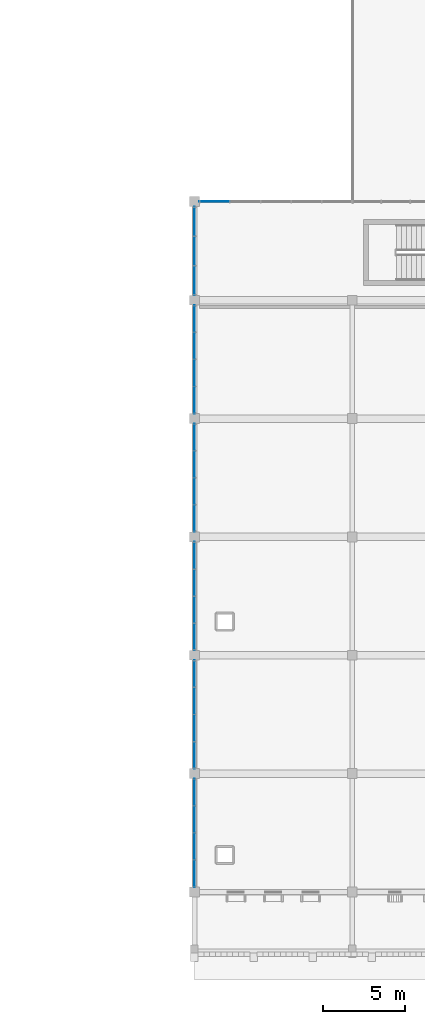
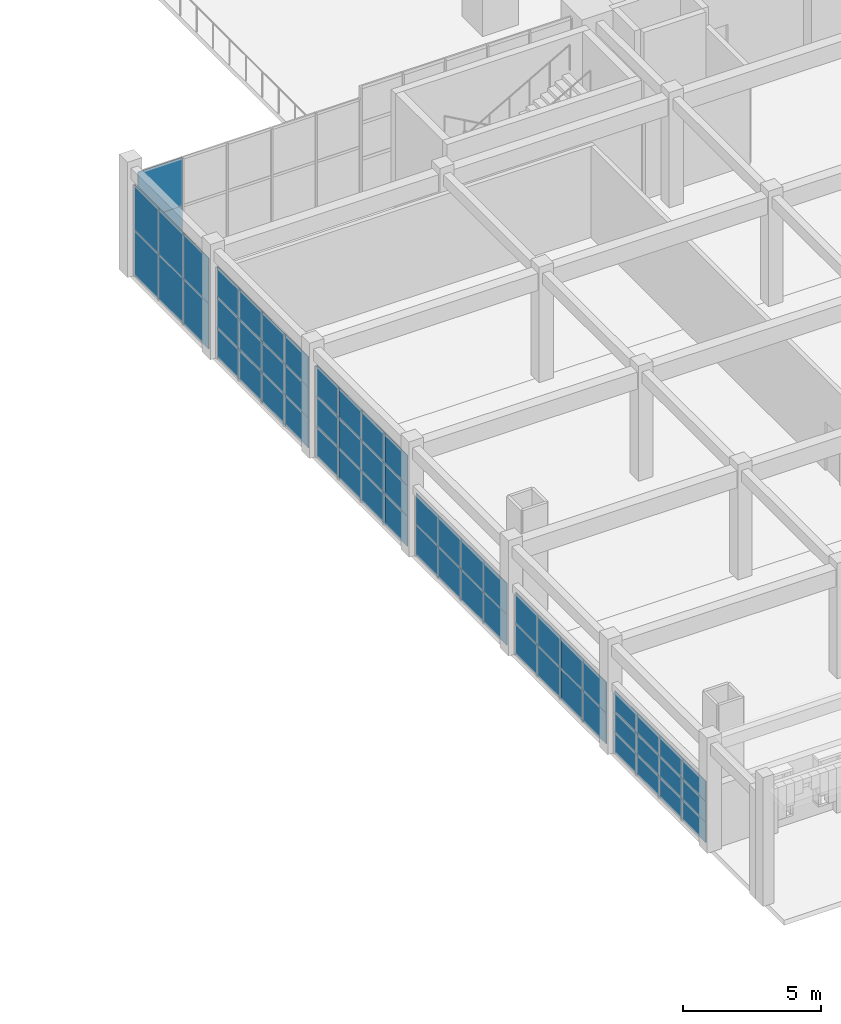
# One storey, part 28 of 72: 60 plates, 7 elements without a shape of their own.
"""IFC4 building model written with IfcOpenShell, lengths in metres."""

from ifc_helpers import new_model, si_unit, direction, frame, origin, origin_2d, place, context, subcontext, project, spatial, rectangle, extrude, material, layer, layer_set, type_object, element, aggregate, save


model = new_model("IFC4")

# Units and contexts
model_context = context("Model", 3, precision=1e-05, world=origin(), true_north=direction((0.0, 1.0)))
body_context = subcontext(model_context, "Body", "Model", "MODEL_VIEW")
ifc_project = project(units=[si_unit("LENGTHUNIT", "METRE"), si_unit("AREAUNIT", "SQUARE_METRE"), si_unit("VOLUMEUNIT", "CUBIC_METRE"), si_unit("PLANEANGLEUNIT", "RADIAN"), si_unit("MASSUNIT", "GRAM", prefix="KILO")], contexts=[model_context])

# Site, building, storey
site_placement = place(None, origin())
site = spatial("IfcSite", under=ifc_project, at=site_placement, CompositionType="ELEMENT")
building_placement = place(site_placement, origin())
building = spatial("IfcBuilding", under=site, at=building_placement, Name="Nzembalo Square Collegiate School", CompositionType="ELEMENT")
storey_placement = place(building_placement, origin())
storey = spatial("IfcBuildingStorey", under=building, at=storey_placement, Name="L00", CompositionType="ELEMENT", Elevation=0.0)

# Curtain wall, plates
ifc_material_1 = material(Name="Aluminium 6060-T66", Category="aluminium")
curtain_wall_type_1 = type_object("IfcCurtainWallType", Name="CW-02", PredefinedType="USERDEFINED", material=ifc_material_1)
curtain_wall_1_placement = place(storey_placement, origin())
curtain_wall_1 = element("IfcCurtainWall", 1, at=curtain_wall_1_placement, inside=storey, type_object=curtain_wall_type_1, Name="Curtain wall CW-02 cw:L00:009", ObjectType="UNITISED", PredefinedType="USERDEFINED")
ifc_material_2 = material(Name="Laminated solar-control double glazing", Category="glass")
ifc_layer_1 = layer(ifc_material_2, 0.028076171875, Name="Laminated solar-control double glazing")
ifc_layer_set_1 = layer_set([ifc_layer_1], Name="Laminated solar-control double glazing")
plate_type_1 = type_object("IfcPlateType", Name="PN01", PredefinedType="CURTAIN_PANEL", material=ifc_layer_set_1)
plate_1_placement = place(storey_placement, frame((130.800048828125, 9.526611328125, 0.00390625), z_axis=(0.0, 0.0, 1.0), x_axis=(0.0, 1.0, 0.0)))
plate_1 = element("IfcPlate", 2, at=plate_1_placement, type_object=plate_type_1, Name="PN01 glazed panel 1-1", PredefinedType="CURTAIN_PANEL", context=body_context, shape_type="SweptSolid", body=[
    extrude(rectangle(XDim=1.64111328125, YDim=0.028076171875, at=origin_2d()), origin(), (0.0, 0.0, 1.0), 0.90673828125),
])
plate_2_placement = place(storey_placement, frame((130.800048828125, 11.175537109375, 0.00390625), z_axis=(0.0, 0.0, 1.0), x_axis=(0.0, 1.0, 0.0)))
plate_2 = element("IfcPlate", 3, at=plate_2_placement, type_object=plate_type_1, Name="PN01 glazed panel 1-2", PredefinedType="CURTAIN_PANEL", context=body_context, shape_type="SweptSolid", body=[
    extrude(rectangle(XDim=1.64111328125, YDim=0.028076171875, at=origin_2d()), origin(), (0.0, 0.0, 1.0), 0.90673828125),
])
plate_3_placement = place(storey_placement, frame((130.800048828125, 12.824462890625, 0.00390625), z_axis=(0.0, 0.0, 1.0), x_axis=(0.0, 1.0, 0.0)))
plate_3 = element("IfcPlate", 4, at=plate_3_placement, type_object=plate_type_1, Name="PN01 glazed panel 1-3", PredefinedType="CURTAIN_PANEL", context=body_context, shape_type="SweptSolid", body=[
    extrude(rectangle(XDim=1.64111328125, YDim=0.028076171875, at=origin_2d()), origin(), (0.0, 0.0, 1.0), 0.90673828125),
])
plate_4_placement = place(storey_placement, frame((130.800048828125, 14.473388671875, 0.00390625), z_axis=(0.0, 0.0, 1.0), x_axis=(0.0, 1.0, 0.0)))
plate_4 = element("IfcPlate", 5, at=plate_4_placement, type_object=plate_type_1, Name="PN01 glazed panel 1-4", PredefinedType="CURTAIN_PANEL", context=body_context, shape_type="SweptSolid", body=[
    extrude(rectangle(XDim=1.64111328125, YDim=0.028076171875, at=origin_2d()), origin(), (0.0, 0.0, 1.0), 0.90673828125),
])
plate_5_placement = place(storey_placement, frame((130.800048828125, 9.526611328125, 0.918701171875), z_axis=(0.0, 0.0, 1.0), x_axis=(0.0, 1.0, 0.0)))
plate_5 = element("IfcPlate", 6, at=plate_5_placement, type_object=plate_type_1, Name="PN01 glazed panel 2-1", PredefinedType="CURTAIN_PANEL", context=body_context, shape_type="SweptSolid", body=[
    extrude(rectangle(XDim=1.64111328125, YDim=0.028076171875, at=origin_2d()), origin(), (0.0, 0.0, 1.0), 0.90673828125),
])
plate_6_placement = place(storey_placement, frame((130.800048828125, 11.175537109375, 0.918701171875), z_axis=(0.0, 0.0, 1.0), x_axis=(0.0, 1.0, 0.0)))
plate_6 = element("IfcPlate", 7, at=plate_6_placement, type_object=plate_type_1, Name="PN01 glazed panel 2-2", PredefinedType="CURTAIN_PANEL", context=body_context, shape_type="SweptSolid", body=[
    extrude(rectangle(XDim=1.64111328125, YDim=0.028076171875, at=origin_2d()), origin(), (0.0, 0.0, 1.0), 0.90673828125),
])
plate_7_placement = place(storey_placement, frame((130.800048828125, 12.824462890625, 0.918701171875), z_axis=(0.0, 0.0, 1.0), x_axis=(0.0, 1.0, 0.0)))
plate_7 = element("IfcPlate", 8, at=plate_7_placement, type_object=plate_type_1, Name="PN01 glazed panel 2-3", PredefinedType="CURTAIN_PANEL", context=body_context, shape_type="SweptSolid", body=[
    extrude(rectangle(XDim=1.64111328125, YDim=0.028076171875, at=origin_2d()), origin(), (0.0, 0.0, 1.0), 0.90673828125),
])
plate_8_placement = place(storey_placement, frame((130.800048828125, 14.473388671875, 0.918701171875), z_axis=(0.0, 0.0, 1.0), x_axis=(0.0, 1.0, 0.0)))
plate_8 = element("IfcPlate", 9, at=plate_8_placement, type_object=plate_type_1, Name="PN01 glazed panel 2-4", PredefinedType="CURTAIN_PANEL", context=body_context, shape_type="SweptSolid", body=[
    extrude(rectangle(XDim=1.64111328125, YDim=0.028076171875, at=origin_2d()), origin(), (0.0, 0.0, 1.0), 0.90673828125),
])
plate_9_placement = place(storey_placement, frame((130.800048828125, 9.526611328125, 1.833251953125), z_axis=(0.0, 0.0, 1.0), x_axis=(0.0, 1.0, 0.0)))
plate_9 = element("IfcPlate", 10, at=plate_9_placement, type_object=plate_type_1, Name="PN01 glazed panel 3-1", PredefinedType="CURTAIN_PANEL", context=body_context, shape_type="SweptSolid", body=[
    extrude(rectangle(XDim=1.64111328125, YDim=0.028076171875, at=origin_2d()), origin(), (0.0, 0.0, 1.0), 0.90673828125),
])
plate_10_placement = place(storey_placement, frame((130.800048828125, 11.175537109375, 1.833251953125), z_axis=(0.0, 0.0, 1.0), x_axis=(0.0, 1.0, 0.0)))
plate_10 = element("IfcPlate", 11, at=plate_10_placement, type_object=plate_type_1, Name="PN01 glazed panel 3-2", PredefinedType="CURTAIN_PANEL", context=body_context, shape_type="SweptSolid", body=[
    extrude(rectangle(XDim=1.64111328125, YDim=0.028076171875, at=origin_2d()), origin(), (0.0, 0.0, 1.0), 0.90673828125),
])
plate_11_placement = place(storey_placement, frame((130.800048828125, 12.824462890625, 1.833251953125), z_axis=(0.0, 0.0, 1.0), x_axis=(0.0, 1.0, 0.0)))
plate_11 = element("IfcPlate", 12, at=plate_11_placement, type_object=plate_type_1, Name="PN01 glazed panel 3-3", PredefinedType="CURTAIN_PANEL", context=body_context, shape_type="SweptSolid", body=[
    extrude(rectangle(XDim=1.64111328125, YDim=0.028076171875, at=origin_2d()), origin(), (0.0, 0.0, 1.0), 0.90673828125),
])
plate_12_placement = place(storey_placement, frame((130.800048828125, 14.473388671875, 1.833251953125), z_axis=(0.0, 0.0, 1.0), x_axis=(0.0, 1.0, 0.0)))
plate_12 = element("IfcPlate", 13, at=plate_12_placement, type_object=plate_type_1, Name="PN01 glazed panel 3-4", PredefinedType="CURTAIN_PANEL", context=body_context, shape_type="SweptSolid", body=[
    extrude(rectangle(XDim=1.64111328125, YDim=0.028076171875, at=origin_2d()), origin(), (0.0, 0.0, 1.0), 0.90673828125),
])
aggregate(curtain_wall_1, [plate_1, plate_2, plate_3, plate_4, plate_5, plate_6, plate_7, plate_8, plate_9, plate_10, plate_11, plate_12])

ifc_material_3 = material(Name="Aluminium 6060-T66", Category="aluminium")
curtain_wall_type_2 = type_object("IfcCurtainWallType", Name="CW-05", PredefinedType="USERDEFINED", material=ifc_material_3)
curtain_wall_2_placement = place(storey_placement, origin())
curtain_wall_2 = element("IfcCurtainWall", 14, at=curtain_wall_2_placement, inside=storey, type_object=curtain_wall_type_2, Name="Curtain wall CW-05 cw:L00:012", ObjectType="LANCET", PredefinedType="USERDEFINED")
plate_13_placement = place(storey_placement, frame((130.800048828125, 31.12646484375, 0.00390625), z_axis=(0.0, 0.0, 1.0), x_axis=(0.0, 1.0, 0.0)))
plate_13 = element("IfcPlate", 15, at=plate_13_placement, type_object=plate_type_1, Name="PN01 glazed panel 1-1", PredefinedType="CURTAIN_PANEL", context=body_context, shape_type="SweptSolid", body=[
    extrude(rectangle(XDim=1.64111328125, YDim=0.028076171875, at=origin_2d()), origin(), (0.0, 0.0, 1.0), 1.336669921875),
])
plate_14_placement = place(storey_placement, frame((130.800048828125, 32.775390625, 0.00390625), z_axis=(0.0, 0.0, 1.0), x_axis=(0.0, 1.0, 0.0)))
plate_14 = element("IfcPlate", 16, at=plate_14_placement, type_object=plate_type_1, Name="PN01 glazed panel 1-2", PredefinedType="CURTAIN_PANEL", context=body_context, shape_type="SweptSolid", body=[
    extrude(rectangle(XDim=1.64111328125, YDim=0.028076171875, at=origin_2d()), origin(), (0.0, 0.0, 1.0), 1.336669921875),
])
plate_15_placement = place(storey_placement, frame((130.800048828125, 34.424560546875, 0.00390625), z_axis=(0.0, 0.0, 1.0), x_axis=(0.0, 1.0, 0.0)))
plate_15 = element("IfcPlate", 17, at=plate_15_placement, type_object=plate_type_1, Name="PN01 glazed panel 1-3", PredefinedType="CURTAIN_PANEL", context=body_context, shape_type="SweptSolid", body=[
    extrude(rectangle(XDim=1.64111328125, YDim=0.028076171875, at=origin_2d()), origin(), (0.0, 0.0, 1.0), 1.336669921875),
])
plate_16_placement = place(storey_placement, frame((130.800048828125, 36.073486328125, 0.00390625), z_axis=(0.0, 0.0, 1.0), x_axis=(0.0, 1.0, 0.0)))
plate_16 = element("IfcPlate", 18, at=plate_16_placement, type_object=plate_type_1, Name="PN01 glazed panel 1-4", PredefinedType="CURTAIN_PANEL", context=body_context, shape_type="SweptSolid", body=[
    extrude(rectangle(XDim=1.64111328125, YDim=0.028076171875, at=origin_2d()), origin(), (0.0, 0.0, 1.0), 1.336669921875),
])
plate_17_placement = place(storey_placement, frame((130.800048828125, 31.12646484375, 1.3486328125), z_axis=(0.0, 0.0, 1.0), x_axis=(0.0, 1.0, 0.0)))
plate_17 = element("IfcPlate", 19, at=plate_17_placement, type_object=plate_type_1, Name="PN01 glazed panel 2-1", PredefinedType="CURTAIN_PANEL", context=body_context, shape_type="SweptSolid", body=[
    extrude(rectangle(XDim=1.64111328125, YDim=0.028076171875, at=origin_2d()), origin(), (0.0, 0.0, 1.0), 1.336669921875),
])
plate_18_placement = place(storey_placement, frame((130.800048828125, 32.775390625, 1.3486328125), z_axis=(0.0, 0.0, 1.0), x_axis=(0.0, 1.0, 0.0)))
plate_18 = element("IfcPlate", 20, at=plate_18_placement, type_object=plate_type_1, Name="PN01 glazed panel 2-2", PredefinedType="CURTAIN_PANEL", context=body_context, shape_type="SweptSolid", body=[
    extrude(rectangle(XDim=1.64111328125, YDim=0.028076171875, at=origin_2d()), origin(), (0.0, 0.0, 1.0), 1.336669921875),
])
plate_19_placement = place(storey_placement, frame((130.800048828125, 34.424560546875, 1.3486328125), z_axis=(0.0, 0.0, 1.0), x_axis=(0.0, 1.0, 0.0)))
plate_19 = element("IfcPlate", 21, at=plate_19_placement, type_object=plate_type_1, Name="PN01 glazed panel 2-3", PredefinedType="CURTAIN_PANEL", context=body_context, shape_type="SweptSolid", body=[
    extrude(rectangle(XDim=1.64111328125, YDim=0.028076171875, at=origin_2d()), origin(), (0.0, 0.0, 1.0), 1.336669921875),
])
plate_20_placement = place(storey_placement, frame((130.800048828125, 36.073486328125, 1.3486328125), z_axis=(0.0, 0.0, 1.0), x_axis=(0.0, 1.0, 0.0)))
plate_20 = element("IfcPlate", 22, at=plate_20_placement, type_object=plate_type_1, Name="PN01 glazed panel 2-4", PredefinedType="CURTAIN_PANEL", context=body_context, shape_type="SweptSolid", body=[
    extrude(rectangle(XDim=1.64111328125, YDim=0.028076171875, at=origin_2d()), origin(), (0.0, 0.0, 1.0), 1.336669921875),
])
plate_21_placement = place(storey_placement, frame((130.800048828125, 31.12646484375, 2.693359375), z_axis=(0.0, 0.0, 1.0), x_axis=(0.0, 1.0, 0.0)))
plate_21 = element("IfcPlate", 23, at=plate_21_placement, type_object=plate_type_1, Name="PN01 glazed panel 3-1", PredefinedType="CURTAIN_PANEL", context=body_context, shape_type="SweptSolid", body=[
    extrude(rectangle(XDim=1.64111328125, YDim=0.028076171875, at=origin_2d()), origin(), (0.0, 0.0, 1.0), 1.336669921875),
])
plate_22_placement = place(storey_placement, frame((130.800048828125, 32.775390625, 2.693359375), z_axis=(0.0, 0.0, 1.0), x_axis=(0.0, 1.0, 0.0)))
plate_22 = element("IfcPlate", 24, at=plate_22_placement, type_object=plate_type_1, Name="PN01 glazed panel 3-2", PredefinedType="CURTAIN_PANEL", context=body_context, shape_type="SweptSolid", body=[
    extrude(rectangle(XDim=1.64111328125, YDim=0.028076171875, at=origin_2d()), origin(), (0.0, 0.0, 1.0), 1.336669921875),
])
plate_23_placement = place(storey_placement, frame((130.800048828125, 34.424560546875, 2.693359375), z_axis=(0.0, 0.0, 1.0), x_axis=(0.0, 1.0, 0.0)))
plate_23 = element("IfcPlate", 25, at=plate_23_placement, type_object=plate_type_1, Name="PN01 glazed panel 3-3", PredefinedType="CURTAIN_PANEL", context=body_context, shape_type="SweptSolid", body=[
    extrude(rectangle(XDim=1.64111328125, YDim=0.028076171875, at=origin_2d()), origin(), (0.0, 0.0, 1.0), 1.336669921875),
])
plate_24_placement = place(storey_placement, frame((130.800048828125, 36.073486328125, 2.693359375), z_axis=(0.0, 0.0, 1.0), x_axis=(0.0, 1.0, 0.0)))
plate_24 = element("IfcPlate", 26, at=plate_24_placement, type_object=plate_type_1, Name="PN01 glazed panel 3-4", PredefinedType="CURTAIN_PANEL", context=body_context, shape_type="SweptSolid", body=[
    extrude(rectangle(XDim=1.64111328125, YDim=0.028076171875, at=origin_2d()), origin(), (0.0, 0.0, 1.0), 1.336669921875),
])
aggregate(curtain_wall_2, [plate_13, plate_14, plate_15, plate_16, plate_17, plate_18, plate_19, plate_20, plate_21, plate_22, plate_23, plate_24])

ifc_material_4 = material(Name="Aluminium 6060-T66", Category="aluminium")
curtain_wall_type_3 = type_object("IfcCurtainWallType", Name="CW-03", PredefinedType="USERDEFINED", material=ifc_material_4)
curtain_wall_3_placement = place(storey_placement, origin())
curtain_wall_3 = element("IfcCurtainWall", 27, at=curtain_wall_3_placement, inside=storey, type_object=curtain_wall_type_3, Name="Curtain wall CW-03 cw:L00:010", ObjectType="UNITISED", PredefinedType="USERDEFINED")
ifc_material_5 = material(Name="Acoustic laminated solar-control glazing", Category="glass")
ifc_layer_2 = layer(ifc_material_5, 0.031982421875, Name="Acoustic laminated solar-control glazing")
ifc_layer_set_2 = layer_set([ifc_layer_2], Name="Acoustic laminated solar-control glazing")
plate_type_2 = type_object("IfcPlateType", Name="PN02", PredefinedType="CURTAIN_PANEL", material=ifc_layer_set_2)
plate_25_placement = place(storey_placement, frame((130.800048828125, 16.7265625, 0.00390625), z_axis=(0.0, 0.0, 1.0), x_axis=(0.0, 1.0, 0.0)))
plate_25 = element("IfcPlate", 28, at=plate_25_placement, type_object=plate_type_2, Name="PN02 glazed panel 1-1", PredefinedType="CURTAIN_PANEL", context=body_context, shape_type="SweptSolid", body=[
    extrude(rectangle(XDim=1.64111328125, YDim=0.031982421875, at=origin_2d()), origin(), (0.0, 0.0, 1.0), 1.364013671875),
])
plate_26_placement = place(storey_placement, frame((130.800048828125, 18.37548828125, 0.00390625), z_axis=(0.0, 0.0, 1.0), x_axis=(0.0, 1.0, 0.0)))
plate_26 = element("IfcPlate", 29, at=plate_26_placement, type_object=plate_type_2, Name="PN02 glazed panel 1-2", PredefinedType="CURTAIN_PANEL", context=body_context, shape_type="SweptSolid", body=[
    extrude(rectangle(XDim=1.64111328125, YDim=0.031982421875, at=origin_2d()), origin(), (0.0, 0.0, 1.0), 1.364013671875),
])
plate_27_placement = place(storey_placement, frame((130.800048828125, 20.0244140625, 0.00390625), z_axis=(0.0, 0.0, 1.0), x_axis=(0.0, 1.0, 0.0)))
plate_27 = element("IfcPlate", 30, at=plate_27_placement, type_object=plate_type_2, Name="PN02 glazed panel 1-3", PredefinedType="CURTAIN_PANEL", context=body_context, shape_type="SweptSolid", body=[
    extrude(rectangle(XDim=1.64111328125, YDim=0.031982421875, at=origin_2d()), origin(), (0.0, 0.0, 1.0), 1.364013671875),
])
plate_28_placement = place(storey_placement, frame((130.800048828125, 21.673583984375, 0.00390625), z_axis=(0.0, 0.0, 1.0), x_axis=(0.0, 1.0, 0.0)))
plate_28 = element("IfcPlate", 31, at=plate_28_placement, type_object=plate_type_2, Name="PN02 glazed panel 1-4", PredefinedType="CURTAIN_PANEL", context=body_context, shape_type="SweptSolid", body=[
    extrude(rectangle(XDim=1.64111328125, YDim=0.031982421875, at=origin_2d()), origin(), (0.0, 0.0, 1.0), 1.364013671875),
])
plate_29_placement = place(storey_placement, frame((130.800048828125, 16.7265625, 1.3759765625), z_axis=(0.0, 0.0, 1.0), x_axis=(0.0, 1.0, 0.0)))
plate_29 = element("IfcPlate", 32, at=plate_29_placement, type_object=plate_type_2, Name="PN02 glazed panel 2-1", PredefinedType="CURTAIN_PANEL", context=body_context, shape_type="SweptSolid", body=[
    extrude(rectangle(XDim=1.64111328125, YDim=0.031982421875, at=origin_2d()), origin(), (0.0, 0.0, 1.0), 1.364013671875),
])
plate_30_placement = place(storey_placement, frame((130.800048828125, 18.37548828125, 1.3759765625), z_axis=(0.0, 0.0, 1.0), x_axis=(0.0, 1.0, 0.0)))
plate_30 = element("IfcPlate", 33, at=plate_30_placement, type_object=plate_type_2, Name="PN02 glazed panel 2-2", PredefinedType="CURTAIN_PANEL", context=body_context, shape_type="SweptSolid", body=[
    extrude(rectangle(XDim=1.64111328125, YDim=0.031982421875, at=origin_2d()), origin(), (0.0, 0.0, 1.0), 1.364013671875),
])
plate_31_placement = place(storey_placement, frame((130.800048828125, 20.0244140625, 1.3759765625), z_axis=(0.0, 0.0, 1.0), x_axis=(0.0, 1.0, 0.0)))
plate_31 = element("IfcPlate", 34, at=plate_31_placement, type_object=plate_type_2, Name="PN02 glazed panel 2-3", PredefinedType="CURTAIN_PANEL", context=body_context, shape_type="SweptSolid", body=[
    extrude(rectangle(XDim=1.64111328125, YDim=0.031982421875, at=origin_2d()), origin(), (0.0, 0.0, 1.0), 1.364013671875),
])
plate_32_placement = place(storey_placement, frame((130.800048828125, 21.673583984375, 1.3759765625), z_axis=(0.0, 0.0, 1.0), x_axis=(0.0, 1.0, 0.0)))
plate_32 = element("IfcPlate", 35, at=plate_32_placement, type_object=plate_type_2, Name="PN02 glazed panel 2-4", PredefinedType="CURTAIN_PANEL", context=body_context, shape_type="SweptSolid", body=[
    extrude(rectangle(XDim=1.64111328125, YDim=0.031982421875, at=origin_2d()), origin(), (0.0, 0.0, 1.0), 1.364013671875),
])
aggregate(curtain_wall_3, [plate_25, plate_26, plate_27, plate_28, plate_29, plate_30, plate_31, plate_32])

ifc_material_6 = material(Name="Aluminium 6060-T66", Category="aluminium")
curtain_wall_type_4 = type_object("IfcCurtainWallType", Name="CW-04", PredefinedType="USERDEFINED", material=ifc_material_6)
curtain_wall_4_placement = place(storey_placement, origin())
curtain_wall_4 = element("IfcCurtainWall", 36, at=curtain_wall_4_placement, inside=storey, type_object=curtain_wall_type_4, Name="Curtain wall CW-04 cw:L00:011", ObjectType="UNITISED", PredefinedType="USERDEFINED")
plate_33_placement = place(storey_placement, frame((130.800048828125, 23.926513671875, 0.00390625), z_axis=(0.0, 0.0, 1.0), x_axis=(0.0, 1.0, 0.0)))
plate_33 = element("IfcPlate", 37, at=plate_33_placement, type_object=plate_type_2, Name="PN02 glazed panel 1-1", PredefinedType="CURTAIN_PANEL", context=body_context, shape_type="SweptSolid", body=[
    extrude(rectangle(XDim=1.64111328125, YDim=0.031982421875, at=origin_2d()), origin(), (0.0, 0.0, 1.0), 1.364013671875),
])
plate_34_placement = place(storey_placement, frame((130.800048828125, 25.575439453125, 0.00390625), z_axis=(0.0, 0.0, 1.0), x_axis=(0.0, 1.0, 0.0)))
plate_34 = element("IfcPlate", 38, at=plate_34_placement, type_object=plate_type_2, Name="PN02 glazed panel 1-2", PredefinedType="CURTAIN_PANEL", context=body_context, shape_type="SweptSolid", body=[
    extrude(rectangle(XDim=1.64111328125, YDim=0.031982421875, at=origin_2d()), origin(), (0.0, 0.0, 1.0), 1.364013671875),
])
plate_35_placement = place(storey_placement, frame((130.800048828125, 27.224609375, 0.00390625), z_axis=(0.0, 0.0, 1.0), x_axis=(0.0, 1.0, 0.0)))
plate_35 = element("IfcPlate", 39, at=plate_35_placement, type_object=plate_type_2, Name="PN02 glazed panel 1-3", PredefinedType="CURTAIN_PANEL", context=body_context, shape_type="SweptSolid", body=[
    extrude(rectangle(XDim=1.64111328125, YDim=0.031982421875, at=origin_2d()), origin(), (0.0, 0.0, 1.0), 1.364013671875),
])
plate_36_placement = place(storey_placement, frame((130.800048828125, 28.87353515625, 0.00390625), z_axis=(0.0, 0.0, 1.0), x_axis=(0.0, 1.0, 0.0)))
plate_36 = element("IfcPlate", 40, at=plate_36_placement, type_object=plate_type_2, Name="PN02 glazed panel 1-4", PredefinedType="CURTAIN_PANEL", context=body_context, shape_type="SweptSolid", body=[
    extrude(rectangle(XDim=1.64111328125, YDim=0.031982421875, at=origin_2d()), origin(), (0.0, 0.0, 1.0), 1.364013671875),
])
plate_37_placement = place(storey_placement, frame((130.800048828125, 23.926513671875, 1.3759765625), z_axis=(0.0, 0.0, 1.0), x_axis=(0.0, 1.0, 0.0)))
plate_37 = element("IfcPlate", 41, at=plate_37_placement, type_object=plate_type_2, Name="PN02 glazed panel 2-1", PredefinedType="CURTAIN_PANEL", context=body_context, shape_type="SweptSolid", body=[
    extrude(rectangle(XDim=1.64111328125, YDim=0.031982421875, at=origin_2d()), origin(), (0.0, 0.0, 1.0), 1.364013671875),
])
plate_38_placement = place(storey_placement, frame((130.800048828125, 25.575439453125, 1.3759765625), z_axis=(0.0, 0.0, 1.0), x_axis=(0.0, 1.0, 0.0)))
plate_38 = element("IfcPlate", 42, at=plate_38_placement, type_object=plate_type_2, Name="PN02 glazed panel 2-2", PredefinedType="CURTAIN_PANEL", context=body_context, shape_type="SweptSolid", body=[
    extrude(rectangle(XDim=1.64111328125, YDim=0.031982421875, at=origin_2d()), origin(), (0.0, 0.0, 1.0), 1.364013671875),
])
plate_39_placement = place(storey_placement, frame((130.800048828125, 27.224609375, 1.3759765625), z_axis=(0.0, 0.0, 1.0), x_axis=(0.0, 1.0, 0.0)))
plate_39 = element("IfcPlate", 43, at=plate_39_placement, type_object=plate_type_2, Name="PN02 glazed panel 2-3", PredefinedType="CURTAIN_PANEL", context=body_context, shape_type="SweptSolid", body=[
    extrude(rectangle(XDim=1.64111328125, YDim=0.031982421875, at=origin_2d()), origin(), (0.0, 0.0, 1.0), 1.364013671875),
])
plate_40_placement = place(storey_placement, frame((130.800048828125, 28.87353515625, 1.3759765625), z_axis=(0.0, 0.0, 1.0), x_axis=(0.0, 1.0, 0.0)))
plate_40 = element("IfcPlate", 44, at=plate_40_placement, type_object=plate_type_2, Name="PN02 glazed panel 2-4", PredefinedType="CURTAIN_PANEL", context=body_context, shape_type="SweptSolid", body=[
    extrude(rectangle(XDim=1.64111328125, YDim=0.031982421875, at=origin_2d()), origin(), (0.0, 0.0, 1.0), 1.364013671875),
])
aggregate(curtain_wall_4, [plate_33, plate_34, plate_35, plate_36, plate_37, plate_38, plate_39, plate_40])

ifc_material_7 = material(Name="Aluminium 6060-T66", Category="aluminium")
curtain_wall_type_5 = type_object("IfcCurtainWallType", Name="CW-06", PredefinedType="USERDEFINED", material=ifc_material_7)
curtain_wall_5_placement = place(storey_placement, origin())
curtain_wall_5 = element("IfcCurtainWall", 45, at=curtain_wall_5_placement, inside=storey, type_object=curtain_wall_type_5, Name="Curtain wall CW-06 cw:L00:013", ObjectType="LANCET", PredefinedType="USERDEFINED")
plate_41_placement = place(storey_placement, frame((130.800048828125, 38.326416015625, 0.00390625), z_axis=(0.0, 0.0, 1.0), x_axis=(0.0, 1.0, 0.0)))
plate_41 = element("IfcPlate", 46, at=plate_41_placement, type_object=plate_type_2, Name="PN02 glazed panel 1-1", PredefinedType="CURTAIN_PANEL", context=body_context, shape_type="SweptSolid", body=[
    extrude(rectangle(XDim=1.64111328125, YDim=0.031982421875, at=origin_2d()), origin(), (0.0, 0.0, 1.0), 1.336669921875),
])
plate_42_placement = place(storey_placement, frame((130.800048828125, 39.9755859375, 0.00390625), z_axis=(0.0, 0.0, 1.0), x_axis=(0.0, 1.0, 0.0)))
plate_42 = element("IfcPlate", 47, at=plate_42_placement, type_object=plate_type_2, Name="PN02 glazed panel 1-2", PredefinedType="CURTAIN_PANEL", context=body_context, shape_type="SweptSolid", body=[
    extrude(rectangle(XDim=1.64111328125, YDim=0.031982421875, at=origin_2d()), origin(), (0.0, 0.0, 1.0), 1.336669921875),
])
plate_43_placement = place(storey_placement, frame((130.800048828125, 41.62451171875, 0.00390625), z_axis=(0.0, 0.0, 1.0), x_axis=(0.0, 1.0, 0.0)))
plate_43 = element("IfcPlate", 48, at=plate_43_placement, type_object=plate_type_2, Name="PN02 glazed panel 1-3", PredefinedType="CURTAIN_PANEL", context=body_context, shape_type="SweptSolid", body=[
    extrude(rectangle(XDim=1.64111328125, YDim=0.031982421875, at=origin_2d()), origin(), (0.0, 0.0, 1.0), 1.336669921875),
])
plate_44_placement = place(storey_placement, frame((130.800048828125, 43.2734375, 0.00390625), z_axis=(0.0, 0.0, 1.0), x_axis=(0.0, 1.0, 0.0)))
plate_44 = element("IfcPlate", 49, at=plate_44_placement, type_object=plate_type_2, Name="PN02 glazed panel 1-4", PredefinedType="CURTAIN_PANEL", context=body_context, shape_type="SweptSolid", body=[
    extrude(rectangle(XDim=1.64111328125, YDim=0.031982421875, at=origin_2d()), origin(), (0.0, 0.0, 1.0), 1.336669921875),
])
plate_45_placement = place(storey_placement, frame((130.800048828125, 38.326416015625, 1.3486328125), z_axis=(0.0, 0.0, 1.0), x_axis=(0.0, 1.0, 0.0)))
plate_45 = element("IfcPlate", 50, at=plate_45_placement, type_object=plate_type_2, Name="PN02 glazed panel 2-1", PredefinedType="CURTAIN_PANEL", context=body_context, shape_type="SweptSolid", body=[
    extrude(rectangle(XDim=1.64111328125, YDim=0.031982421875, at=origin_2d()), origin(), (0.0, 0.0, 1.0), 1.336669921875),
])
plate_46_placement = place(storey_placement, frame((130.800048828125, 39.9755859375, 1.3486328125), z_axis=(0.0, 0.0, 1.0), x_axis=(0.0, 1.0, 0.0)))
plate_46 = element("IfcPlate", 51, at=plate_46_placement, type_object=plate_type_2, Name="PN02 glazed panel 2-2", PredefinedType="CURTAIN_PANEL", context=body_context, shape_type="SweptSolid", body=[
    extrude(rectangle(XDim=1.64111328125, YDim=0.031982421875, at=origin_2d()), origin(), (0.0, 0.0, 1.0), 1.336669921875),
])
plate_47_placement = place(storey_placement, frame((130.800048828125, 41.62451171875, 1.3486328125), z_axis=(0.0, 0.0, 1.0), x_axis=(0.0, 1.0, 0.0)))
plate_47 = element("IfcPlate", 52, at=plate_47_placement, type_object=plate_type_2, Name="PN02 glazed panel 2-3", PredefinedType="CURTAIN_PANEL", context=body_context, shape_type="SweptSolid", body=[
    extrude(rectangle(XDim=1.64111328125, YDim=0.031982421875, at=origin_2d()), origin(), (0.0, 0.0, 1.0), 1.336669921875),
])
plate_48_placement = place(storey_placement, frame((130.800048828125, 43.2734375, 1.3486328125), z_axis=(0.0, 0.0, 1.0), x_axis=(0.0, 1.0, 0.0)))
plate_48 = element("IfcPlate", 53, at=plate_48_placement, type_object=plate_type_2, Name="PN02 glazed panel 2-4", PredefinedType="CURTAIN_PANEL", context=body_context, shape_type="SweptSolid", body=[
    extrude(rectangle(XDim=1.64111328125, YDim=0.031982421875, at=origin_2d()), origin(), (0.0, 0.0, 1.0), 1.336669921875),
])
plate_49_placement = place(storey_placement, frame((130.800048828125, 38.326416015625, 2.693359375), z_axis=(0.0, 0.0, 1.0), x_axis=(0.0, 1.0, 0.0)))
plate_49 = element("IfcPlate", 54, at=plate_49_placement, type_object=plate_type_2, Name="PN02 glazed panel 3-1", PredefinedType="CURTAIN_PANEL", context=body_context, shape_type="SweptSolid", body=[
    extrude(rectangle(XDim=1.64111328125, YDim=0.031982421875, at=origin_2d()), origin(), (0.0, 0.0, 1.0), 1.336669921875),
])
plate_50_placement = place(storey_placement, frame((130.800048828125, 39.9755859375, 2.693359375), z_axis=(0.0, 0.0, 1.0), x_axis=(0.0, 1.0, 0.0)))
plate_50 = element("IfcPlate", 55, at=plate_50_placement, type_object=plate_type_2, Name="PN02 glazed panel 3-2", PredefinedType="CURTAIN_PANEL", context=body_context, shape_type="SweptSolid", body=[
    extrude(rectangle(XDim=1.64111328125, YDim=0.031982421875, at=origin_2d()), origin(), (0.0, 0.0, 1.0), 1.336669921875),
])
plate_51_placement = place(storey_placement, frame((130.800048828125, 41.62451171875, 2.693359375), z_axis=(0.0, 0.0, 1.0), x_axis=(0.0, 1.0, 0.0)))
plate_51 = element("IfcPlate", 56, at=plate_51_placement, type_object=plate_type_2, Name="PN02 glazed panel 3-3", PredefinedType="CURTAIN_PANEL", context=body_context, shape_type="SweptSolid", body=[
    extrude(rectangle(XDim=1.64111328125, YDim=0.031982421875, at=origin_2d()), origin(), (0.0, 0.0, 1.0), 1.336669921875),
])
plate_52_placement = place(storey_placement, frame((130.800048828125, 43.2734375, 2.693359375), z_axis=(0.0, 0.0, 1.0), x_axis=(0.0, 1.0, 0.0)))
plate_52 = element("IfcPlate", 57, at=plate_52_placement, type_object=plate_type_2, Name="PN02 glazed panel 3-4", PredefinedType="CURTAIN_PANEL", context=body_context, shape_type="SweptSolid", body=[
    extrude(rectangle(XDim=1.64111328125, YDim=0.031982421875, at=origin_2d()), origin(), (0.0, 0.0, 1.0), 1.336669921875),
])
aggregate(curtain_wall_5, [plate_41, plate_42, plate_43, plate_44, plate_45, plate_46, plate_47, plate_48, plate_49, plate_50, plate_51, plate_52])

ifc_material_8 = material(Name="Aluminium 6060-T66", Category="aluminium")
curtain_wall_type_6 = type_object("IfcCurtainWallType", Name="CW-15", PredefinedType="USERDEFINED", material=ifc_material_8)
curtain_wall_6_placement = place(storey_placement, origin())
curtain_wall_6 = element("IfcCurtainWall", 58, at=curtain_wall_6_placement, inside=storey, type_object=curtain_wall_type_6, Name="Curtain wall CW-15 cw:L00:014", ObjectType="LANCET", PredefinedType="USERDEFINED")
plate_53_placement = place(storey_placement, frame((130.800048828125, 45.601318359375, 0.00390625), z_axis=(0.0, 0.0, 1.0), x_axis=(0.0, 1.0, 0.0)))
plate_53 = element("IfcPlate", 59, at=plate_53_placement, type_object=plate_type_2, Name="PN02 glazed panel 1-1", PredefinedType="CURTAIN_PANEL", context=body_context, shape_type="SweptSolid", body=[
    extrude(rectangle(XDim=1.790771484375, YDim=0.031982421875, at=origin_2d()), origin(), (0.0, 0.0, 1.0), 2.009033203125),
])
plate_54_placement = place(storey_placement, frame((130.800048828125, 47.39990234375, 0.00390625), z_axis=(0.0, 0.0, 1.0), x_axis=(0.0, 1.0, 0.0)))
plate_54 = element("IfcPlate", 60, at=plate_54_placement, type_object=plate_type_2, Name="PN02 glazed panel 1-2", PredefinedType="CURTAIN_PANEL", context=body_context, shape_type="SweptSolid", body=[
    extrude(rectangle(XDim=1.790771484375, YDim=0.031982421875, at=origin_2d()), origin(), (0.0, 0.0, 1.0), 2.009033203125),
])
plate_55_placement = place(storey_placement, frame((130.800048828125, 49.19873046875, 0.00390625), z_axis=(0.0, 0.0, 1.0), x_axis=(0.0, 1.0, 0.0)))
plate_55 = element("IfcPlate", 61, at=plate_55_placement, type_object=plate_type_2, Name="PN02 glazed panel 1-3", PredefinedType="CURTAIN_PANEL", context=body_context, shape_type="SweptSolid", body=[
    extrude(rectangle(XDim=1.790771484375, YDim=0.031982421875, at=origin_2d()), origin(), (0.0, 0.0, 1.0), 2.009033203125),
])
plate_56_placement = place(storey_placement, frame((130.800048828125, 45.601318359375, 2.02099609375), z_axis=(0.0, 0.0, 1.0), x_axis=(0.0, 1.0, 0.0)))
plate_56 = element("IfcPlate", 62, at=plate_56_placement, type_object=plate_type_2, Name="PN02 glazed panel 2-1", PredefinedType="CURTAIN_PANEL", context=body_context, shape_type="SweptSolid", body=[
    extrude(rectangle(XDim=1.790771484375, YDim=0.031982421875, at=origin_2d()), origin(), (0.0, 0.0, 1.0), 2.009033203125),
])
plate_57_placement = place(storey_placement, frame((130.800048828125, 47.39990234375, 2.02099609375), z_axis=(0.0, 0.0, 1.0), x_axis=(0.0, 1.0, 0.0)))
plate_57 = element("IfcPlate", 63, at=plate_57_placement, type_object=plate_type_2, Name="PN02 glazed panel 2-2", PredefinedType="CURTAIN_PANEL", context=body_context, shape_type="SweptSolid", body=[
    extrude(rectangle(XDim=1.790771484375, YDim=0.031982421875, at=origin_2d()), origin(), (0.0, 0.0, 1.0), 2.009033203125),
])
plate_58_placement = place(storey_placement, frame((130.800048828125, 49.19873046875, 2.02099609375), z_axis=(0.0, 0.0, 1.0), x_axis=(0.0, 1.0, 0.0)))
plate_58 = element("IfcPlate", 64, at=plate_58_placement, type_object=plate_type_2, Name="PN02 glazed panel 2-3", PredefinedType="CURTAIN_PANEL", context=body_context, shape_type="SweptSolid", body=[
    extrude(rectangle(XDim=1.790771484375, YDim=0.031982421875, at=origin_2d()), origin(), (0.0, 0.0, 1.0), 2.009033203125),
])
aggregate(curtain_wall_6, [plate_53, plate_54, plate_55, plate_56, plate_57, plate_58])

ifc_material_9 = material(Name="Aluminium 6060-T66", Category="aluminium")
curtain_wall_type_7 = type_object("IfcCurtainWallType", Name="CW-12", PredefinedType="USERDEFINED", material=ifc_material_9)
curtain_wall_7_placement = place(storey_placement, origin())
curtain_wall_7 = element("IfcCurtainWall", 65, at=curtain_wall_7_placement, inside=storey, type_object=curtain_wall_type_7, Name="Curtain wall CW-12 cw:L00:015", ObjectType="LANCET", PredefinedType="USERDEFINED")
plate_59_placement = place(storey_placement, frame((132.03173828125, 50.39990234375, 0.00390625), z_axis=(0.0, 0.0, 1.0), x_axis=(1.0, 0.0, 0.0)))
plate_59 = element("IfcPlate", 66, at=plate_59_placement, type_object=plate_type_2, Name="PN02 glazed panel 1-1", PredefinedType="CURTAIN_PANEL", context=body_context, shape_type="SweptSolid", body=[
    extrude(rectangle(XDim=1.8515625, YDim=0.031982421875, at=origin_2d()), origin(), (0.0, 0.0, 1.0), 2.134033203125),
])
plate_60_placement = place(storey_placement, frame((132.03173828125, 50.39990234375, 2.14599609375), z_axis=(0.0, 0.0, 1.0), x_axis=(1.0, 0.0, 0.0)))
plate_60 = element("IfcPlate", 67, at=plate_60_placement, type_object=plate_type_2, Name="PN02 glazed panel 2-1", PredefinedType="CURTAIN_PANEL", context=body_context, shape_type="SweptSolid", body=[
    extrude(rectangle(XDim=1.8515625, YDim=0.031982421875, at=origin_2d()), origin(), (0.0, 0.0, 1.0), 2.134033203125),
])
aggregate(curtain_wall_7, [plate_59, plate_60])

save(model, "model.ifc")
